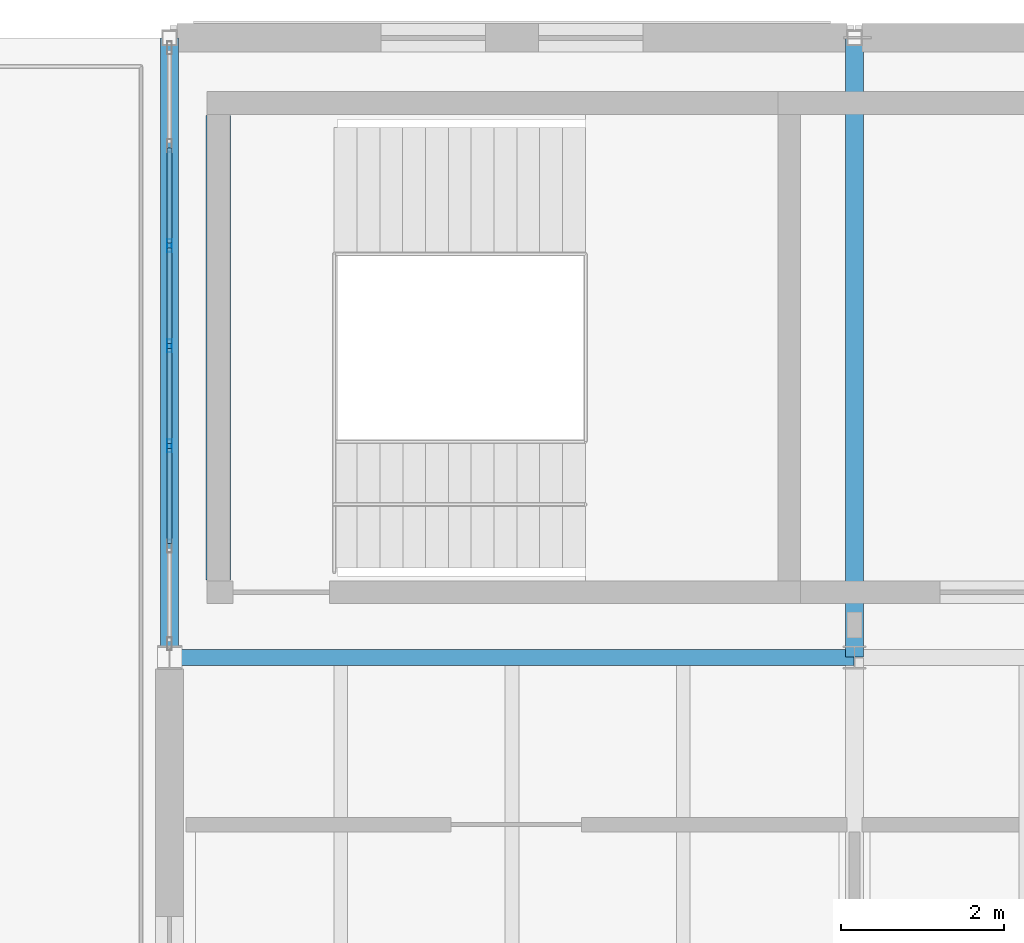
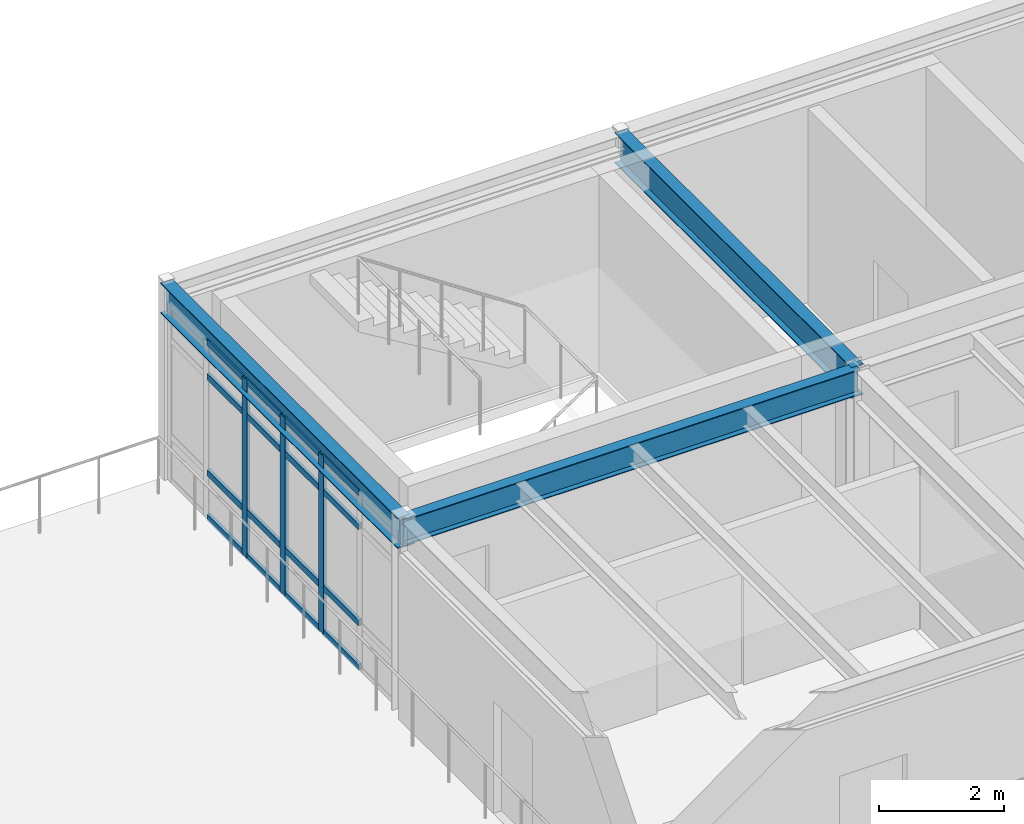
# One storey, part 6 of 26: 19 members, 4 beams, 1 element without a shape of its own.
"""IFC4 building model written with IfcOpenShell, lengths in metres."""

from ifc_helpers import new_model, si_unit, direction, frame, origin, origin_2d, place, context, subcontext, project, spatial, rectangle, hollow_rectangle, i_section, extrude, material, layer, layer_set, material_profile, profile_set, type_object, element, aggregate, save


model = new_model("IFC4")

# Units and contexts
model_context = context("Model", 3, precision=1e-05, world=origin(), true_north=direction((0.0, 1.0)))
body_context = subcontext(model_context, "Body", "Model", "MODEL_VIEW")
ifc_project = project(units=[si_unit("LENGTHUNIT", "METRE"), si_unit("AREAUNIT", "SQUARE_METRE"), si_unit("VOLUMEUNIT", "CUBIC_METRE"), si_unit("PLANEANGLEUNIT", "RADIAN"), si_unit("MASSUNIT", "GRAM", prefix="KILO")], contexts=[model_context])

# Site, building, storey
site_placement = place(None, origin())
site = spatial("IfcSite", under=ifc_project, at=site_placement, CompositionType="ELEMENT")
building_placement = place(site_placement, origin())
building = spatial("IfcBuilding", under=site, at=building_placement, Name="Montecoro Central Library", CompositionType="ELEMENT")
storey_placement = place(building_placement, frame((0.0, 0.0, 21.419921875)))
storey = spatial("IfcBuildingStorey", under=building, at=storey_placement, Name="L05", CompositionType="ELEMENT", Elevation=21.419921875)

# Beams
ifc_material_1 = material(Name="Steel S355", Category="steel")
ifc_material_profile_1 = material_profile(ifc_material_1, i_section(OverallWidth=0.199951171875, OverallDepth=0.5, WebThickness=0.01025390625, FlangeThickness=0.01611328125, at=origin_2d()), Name="IPE 500")
ifc_profile_set_1 = profile_set([ifc_material_profile_1], Name="Steel S355")
beam_type_1 = type_object("IfcBeamType", Name="BM-G-IPE500", PredefinedType="USERDEFINED", material=ifc_profile_set_1)
beam_1_placement = place(storey_placement, frame((74.804931640625, 111.39990234375, 3.5751953125), z_axis=(1.0, 0.0, 0.0), x_axis=(0.0, 1.0, 0.0)))
element("IfcBeam", 1, at=beam_1_placement, inside=storey, type_object=beam_type_1, Name="V2-L05-BX-1011-Q", ObjectType="GIRDER", PredefinedType="USERDEFINED", context=body_context, shape_type="SweptSolid", body=[
    extrude(i_section(OverallWidth=0.199951171875, OverallDepth=0.5, WebThickness=0.01025390625, FlangeThickness=0.01611328125, at=origin_2d()), origin(), (0.0, 0.0, 1.0), 8.39013671875),
])
ifc_material_2 = material(Name="Steel S355J2", Category="steel")
ifc_material_profile_2 = material_profile(ifc_material_2, i_section(OverallWidth=0.219970703125, OverallDepth=0.60009765625, WebThickness=0.011962890625, FlangeThickness=0.01904296875, at=origin_2d()), Name="IPE 600")
ifc_profile_set_2 = profile_set([ifc_material_profile_2], Name="Steel S355J2")
beam_type_2 = type_object("IfcBeamType", Name="BM-G-IPE600", PredefinedType="USERDEFINED", material=ifc_profile_set_2)
for number, where, z_axis, x_axis, name in (
    (2, (74.800048828125, 111.405029296875, 3.525146484375), (0.0, 1.0, 0.0), (-1.0, 0.0, 0.0), "V2-L05-BY-10-QR"),
    (3, (83.199951171875, 111.405029296875, 3.525146484375), (0.0, 1.0, 0.0), (-1.0, 0.0, 0.0), "V2-L05-BY-11-QR"),
):
    element("IfcBeam", number, at=place(storey_placement, frame(where, z_axis=z_axis, x_axis=x_axis)), inside=storey, type_object=beam_type_2, Name=name, ObjectType="GIRDER", PredefinedType="USERDEFINED", context=body_context, shape_type="SweptSolid", body=[
        extrude(i_section(OverallWidth=0.219970703125, OverallDepth=0.60009765625, WebThickness=0.011962890625, FlangeThickness=0.01904296875, at=origin_2d()), origin(), (0.0, 0.0, 1.0), 7.590087890625),
    ])
ifc_material_3 = material(Name="Concrete C35/45", Category="concrete")
ifc_material_profile_3 = material_profile(ifc_material_3, rectangle(XDim=0.300048828125, YDim=0.449951171875, at=origin_2d()), Name="RC LNT 450x300")
ifc_profile_set_3 = profile_set([ifc_material_profile_3], Name="Concrete C35/45")
beam_type_3 = type_object("IfcBeamType", Name="BM-LN-RC02", PredefinedType="LINTEL", material=ifc_profile_set_3)
beam_2_placement = place(storey_placement, frame((75.39990234375, 112.35009765625, 2.675048828125), z_axis=(0.0, 1.0, 0.0), x_axis=(-1.0, 0.0, 0.0)))
element("IfcBeam", 4, at=beam_2_placement, inside=storey, type_object=beam_type_3, Name="C2-L05-LNT", PredefinedType="LINTEL", context=body_context, shape_type="SweptSolid", body=[
    extrude(rectangle(XDim=0.300048828125, YDim=0.449951171875, at=origin_2d()), origin(), (0.0, 0.0, 1.0), 5.699951171875),
])

# Curtain wall, members
ifc_material_4 = material(Name="Bronze-anodised aluminium and low-E glazing", Category="aluminium")
ifc_layer = layer(ifc_material_4, 0.159912109375)
ifc_layer_set = layer_set([ifc_layer], Name="Bronze-anodised aluminium and low-E glazing")
curtain_wall_type = type_object("IfcCurtainWallType", Name="CWT-026", PredefinedType="NOTDEFINED", material=ifc_layer_set)
curtain_wall_placement = place(storey_placement, origin())
curtain_wall = element("IfcCurtainWall", 5, at=curtain_wall_placement, inside=storey, type_object=curtain_wall_type, Name="V2-L05-CW-W1", PredefinedType="NOTDEFINED")
ifc_material_5 = material(Name="Bronze-anodised aluminium", Category="aluminium")
ifc_material_profile_4 = material_profile(ifc_material_5, hollow_rectangle(XDim=0.06005859375, YDim=0.159912109375, WallThickness=0.00390625, at=origin_2d()), Name="CWM 160x60x4.0")
ifc_profile_set_4 = profile_set([ifc_material_profile_4], Name="Bronze-anodised aluminium")
member_type_1 = type_object("IfcMemberType", Name="CWM-BRZ-60", PredefinedType="MULLION", material=ifc_profile_set_4)
member_1_placement = place(storey_placement, frame((74.800048828125, 116.45068359375, 0.0), z_axis=(0.0, 0.0, 1.0), x_axis=(1.0, 0.0, 0.0)))
member_1 = element("IfcMember", 6, at=member_1_placement, type_object=member_type_1, Name="CW-026 mullion 3", PredefinedType="MULLION", context=body_context, shape_type="SweptSolid", body=[
    extrude(hollow_rectangle(XDim=0.06005859375, YDim=0.159912109375, WallThickness=0.00390625, at=origin_2d()), origin(), (0.0, 0.0, 1.0), 3.47998046875),
])
member_2_placement = place(storey_placement, frame((74.800048828125, 115.222412109375, 0.0), z_axis=(0.0, 0.0, 1.0), x_axis=(1.0, 0.0, 0.0)))
member_2 = element("IfcMember", 7, at=member_2_placement, type_object=member_type_1, Name="CW-026 mullion 4", PredefinedType="MULLION", context=body_context, shape_type="SweptSolid", body=[
    extrude(hollow_rectangle(XDim=0.06005859375, YDim=0.159912109375, WallThickness=0.00390625, at=origin_2d()), origin(), (0.0, 0.0, 1.0), 3.47998046875),
])
member_3_placement = place(storey_placement, frame((74.800048828125, 113.994384765625, 0.0), z_axis=(0.0, 0.0, 1.0), x_axis=(1.0, 0.0, 0.0)))
member_3 = element("IfcMember", 8, at=member_3_placement, type_object=member_type_1, Name="CW-026 mullion 5", PredefinedType="MULLION", context=body_context, shape_type="SweptSolid", body=[
    extrude(hollow_rectangle(XDim=0.06005859375, YDim=0.159912109375, WallThickness=0.00390625, at=origin_2d()), origin(), (0.0, 0.0, 1.0), 3.47998046875),
])
ifc_material_profile_5 = material_profile(ifc_material_5, hollow_rectangle(XDim=0.06005859375, YDim=0.1201171875, WallThickness=0.00390625, at=origin_2d()), Name="CWT 120x60x4.0")
ifc_profile_set_5 = profile_set([ifc_material_profile_5], Name="Bronze-anodised aluminium")
member_type_2 = type_object("IfcMemberType", Name="CWT-BRZ-60", PredefinedType="USERDEFINED", material=ifc_profile_set_5)
member_4_placement = place(storey_placement, frame((74.800048828125, 117.64892578125, 0.030029296875), z_axis=(0.0, -1.0, 0.0), x_axis=(1.0, 0.0, 0.0)))
member_4 = element("IfcMember", 9, at=member_4_placement, type_object=member_type_2, Name="CW-026 transom 2.1", ObjectType="TRANSOM", PredefinedType="USERDEFINED", context=body_context, shape_type="SweptSolid", body=[
    extrude(hollow_rectangle(XDim=0.06005859375, YDim=0.1201171875, WallThickness=0.00390625, at=origin_2d()), origin(), (0.0, 0.0, 1.0), 1.168212890625),
])
member_5_placement = place(storey_placement, frame((74.800048828125, 117.64892578125, 0.900146484375), z_axis=(0.0, -1.0, 0.0), x_axis=(1.0, 0.0, 0.0)))
member_5 = element("IfcMember", 10, at=member_5_placement, type_object=member_type_2, Name="CW-026 transom 2.2", ObjectType="TRANSOM", PredefinedType="USERDEFINED", context=body_context, shape_type="SweptSolid", body=[
    extrude(hollow_rectangle(XDim=0.06005859375, YDim=0.1201171875, WallThickness=0.00390625, at=origin_2d()), origin(), (0.0, 0.0, 1.0), 1.168212890625),
])
member_6_placement = place(storey_placement, frame((74.800048828125, 117.64892578125, 2.780029296875), z_axis=(0.0, -1.0, 0.0), x_axis=(1.0, 0.0, 0.0)))
member_6 = element("IfcMember", 11, at=member_6_placement, type_object=member_type_2, Name="CW-026 transom 2.3", ObjectType="TRANSOM", PredefinedType="USERDEFINED", context=body_context, shape_type="SweptSolid", body=[
    extrude(hollow_rectangle(XDim=0.06005859375, YDim=0.1201171875, WallThickness=0.00390625, at=origin_2d()), origin(), (0.0, 0.0, 1.0), 1.168212890625),
])
member_7_placement = place(storey_placement, frame((74.800048828125, 117.64892578125, 3.4501953125), z_axis=(0.0, -1.0, 0.0), x_axis=(1.0, 0.0, 0.0)))
member_7 = element("IfcMember", 12, at=member_7_placement, type_object=member_type_2, Name="CW-026 transom 2.4", ObjectType="TRANSOM", PredefinedType="USERDEFINED", context=body_context, shape_type="SweptSolid", body=[
    extrude(hollow_rectangle(XDim=0.06005859375, YDim=0.1201171875, WallThickness=0.00390625, at=origin_2d()), origin(), (0.0, 0.0, 1.0), 1.168212890625),
])
member_8_placement = place(storey_placement, frame((74.800048828125, 116.420654296875, 0.030029296875), z_axis=(0.0, -1.0, 0.0), x_axis=(1.0, 0.0, 0.0)))
member_8 = element("IfcMember", 13, at=member_8_placement, type_object=member_type_2, Name="CW-026 transom 3.1", ObjectType="TRANSOM", PredefinedType="USERDEFINED", context=body_context, shape_type="SweptSolid", body=[
    extrude(hollow_rectangle(XDim=0.06005859375, YDim=0.1201171875, WallThickness=0.00390625, at=origin_2d()), origin(), (0.0, 0.0, 1.0), 1.168212890625),
])
member_9_placement = place(storey_placement, frame((74.800048828125, 116.420654296875, 0.900146484375), z_axis=(0.0, -1.0, 0.0), x_axis=(1.0, 0.0, 0.0)))
member_9 = element("IfcMember", 14, at=member_9_placement, type_object=member_type_2, Name="CW-026 transom 3.2", ObjectType="TRANSOM", PredefinedType="USERDEFINED", context=body_context, shape_type="SweptSolid", body=[
    extrude(hollow_rectangle(XDim=0.06005859375, YDim=0.1201171875, WallThickness=0.00390625, at=origin_2d()), origin(), (0.0, 0.0, 1.0), 1.168212890625),
])
member_10_placement = place(storey_placement, frame((74.800048828125, 116.420654296875, 2.780029296875), z_axis=(0.0, -1.0, 0.0), x_axis=(1.0, 0.0, 0.0)))
member_10 = element("IfcMember", 15, at=member_10_placement, type_object=member_type_2, Name="CW-026 transom 3.3", ObjectType="TRANSOM", PredefinedType="USERDEFINED", context=body_context, shape_type="SweptSolid", body=[
    extrude(hollow_rectangle(XDim=0.06005859375, YDim=0.1201171875, WallThickness=0.00390625, at=origin_2d()), origin(), (0.0, 0.0, 1.0), 1.168212890625),
])
member_11_placement = place(storey_placement, frame((74.800048828125, 116.420654296875, 3.4501953125), z_axis=(0.0, -1.0, 0.0), x_axis=(1.0, 0.0, 0.0)))
member_11 = element("IfcMember", 16, at=member_11_placement, type_object=member_type_2, Name="CW-026 transom 3.4", ObjectType="TRANSOM", PredefinedType="USERDEFINED", context=body_context, shape_type="SweptSolid", body=[
    extrude(hollow_rectangle(XDim=0.06005859375, YDim=0.1201171875, WallThickness=0.00390625, at=origin_2d()), origin(), (0.0, 0.0, 1.0), 1.168212890625),
])
member_12_placement = place(storey_placement, frame((74.800048828125, 115.1923828125, 0.030029296875), z_axis=(0.0, -1.0, 0.0), x_axis=(1.0, 0.0, 0.0)))
member_12 = element("IfcMember", 17, at=member_12_placement, type_object=member_type_2, Name="CW-026 transom 4.1", ObjectType="TRANSOM", PredefinedType="USERDEFINED", context=body_context, shape_type="SweptSolid", body=[
    extrude(hollow_rectangle(XDim=0.06005859375, YDim=0.1201171875, WallThickness=0.00390625, at=origin_2d()), origin(), (0.0, 0.0, 1.0), 1.16796875),
])
member_13_placement = place(storey_placement, frame((74.800048828125, 115.1923828125, 0.900146484375), z_axis=(0.0, -1.0, 0.0), x_axis=(1.0, 0.0, 0.0)))
member_13 = element("IfcMember", 18, at=member_13_placement, type_object=member_type_2, Name="CW-026 transom 4.2", ObjectType="TRANSOM", PredefinedType="USERDEFINED", context=body_context, shape_type="SweptSolid", body=[
    extrude(hollow_rectangle(XDim=0.06005859375, YDim=0.1201171875, WallThickness=0.00390625, at=origin_2d()), origin(), (0.0, 0.0, 1.0), 1.16796875),
])
member_14_placement = place(storey_placement, frame((74.800048828125, 115.1923828125, 2.780029296875), z_axis=(0.0, -1.0, 0.0), x_axis=(1.0, 0.0, 0.0)))
member_14 = element("IfcMember", 19, at=member_14_placement, type_object=member_type_2, Name="CW-026 transom 4.3", ObjectType="TRANSOM", PredefinedType="USERDEFINED", context=body_context, shape_type="SweptSolid", body=[
    extrude(hollow_rectangle(XDim=0.06005859375, YDim=0.1201171875, WallThickness=0.00390625, at=origin_2d()), origin(), (0.0, 0.0, 1.0), 1.16796875),
])
member_15_placement = place(storey_placement, frame((74.800048828125, 115.1923828125, 3.4501953125), z_axis=(0.0, -1.0, 0.0), x_axis=(1.0, 0.0, 0.0)))
member_15 = element("IfcMember", 20, at=member_15_placement, type_object=member_type_2, Name="CW-026 transom 4.4", ObjectType="TRANSOM", PredefinedType="USERDEFINED", context=body_context, shape_type="SweptSolid", body=[
    extrude(hollow_rectangle(XDim=0.06005859375, YDim=0.1201171875, WallThickness=0.00390625, at=origin_2d()), origin(), (0.0, 0.0, 1.0), 1.16796875),
])
member_16_placement = place(storey_placement, frame((74.800048828125, 113.96435546875, 0.030029296875), z_axis=(0.0, -1.0, 0.0), x_axis=(1.0, 0.0, 0.0)))
member_16 = element("IfcMember", 21, at=member_16_placement, type_object=member_type_2, Name="CW-026 transom 5.1", ObjectType="TRANSOM", PredefinedType="USERDEFINED", context=body_context, shape_type="SweptSolid", body=[
    extrude(hollow_rectangle(XDim=0.06005859375, YDim=0.1201171875, WallThickness=0.00390625, at=origin_2d()), origin(), (0.0, 0.0, 1.0), 1.168212890625),
])
member_17_placement = place(storey_placement, frame((74.800048828125, 113.96435546875, 0.900146484375), z_axis=(0.0, -1.0, 0.0), x_axis=(1.0, 0.0, 0.0)))
member_17 = element("IfcMember", 22, at=member_17_placement, type_object=member_type_2, Name="CW-026 transom 5.2", ObjectType="TRANSOM", PredefinedType="USERDEFINED", context=body_context, shape_type="SweptSolid", body=[
    extrude(hollow_rectangle(XDim=0.06005859375, YDim=0.1201171875, WallThickness=0.00390625, at=origin_2d()), origin(), (0.0, 0.0, 1.0), 1.168212890625),
])
member_18_placement = place(storey_placement, frame((74.800048828125, 113.96435546875, 2.780029296875), z_axis=(0.0, -1.0, 0.0), x_axis=(1.0, 0.0, 0.0)))
member_18 = element("IfcMember", 23, at=member_18_placement, type_object=member_type_2, Name="CW-026 transom 5.3", ObjectType="TRANSOM", PredefinedType="USERDEFINED", context=body_context, shape_type="SweptSolid", body=[
    extrude(hollow_rectangle(XDim=0.06005859375, YDim=0.1201171875, WallThickness=0.00390625, at=origin_2d()), origin(), (0.0, 0.0, 1.0), 1.168212890625),
])
member_19_placement = place(storey_placement, frame((74.800048828125, 113.96435546875, 3.4501953125), z_axis=(0.0, -1.0, 0.0), x_axis=(1.0, 0.0, 0.0)))
member_19 = element("IfcMember", 24, at=member_19_placement, type_object=member_type_2, Name="CW-026 transom 5.4", ObjectType="TRANSOM", PredefinedType="USERDEFINED", context=body_context, shape_type="SweptSolid", body=[
    extrude(hollow_rectangle(XDim=0.06005859375, YDim=0.1201171875, WallThickness=0.00390625, at=origin_2d()), origin(), (0.0, 0.0, 1.0), 1.168212890625),
])
aggregate(curtain_wall, [member_1, member_2, member_3, member_4, member_5, member_6, member_7, member_8, member_9, member_10, member_11, member_12, member_13, member_14, member_15, member_16, member_17, member_18, member_19])

save(model, "model.ifc")
